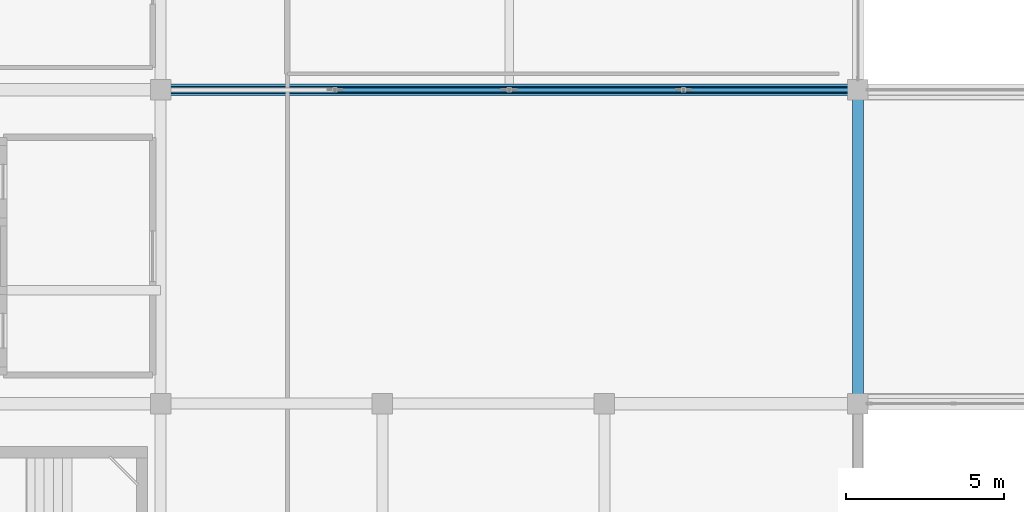
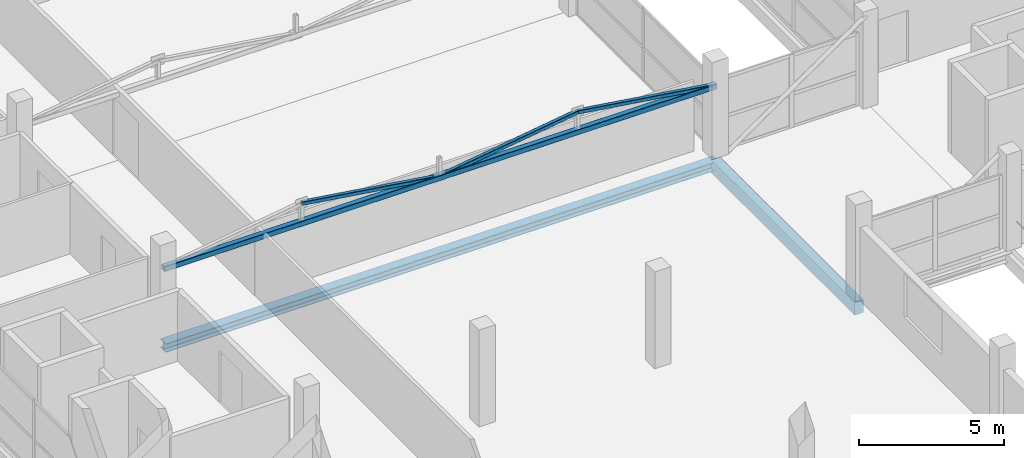
# One storey, part 11 of 53: 4 members, 2 beams.
"""IFC4 building model written with IfcOpenShell, lengths in metres."""

import ifcopenshell
import ifcopenshell.guid

model = None  # the IFC model being written
_history = None  # IfcOwnerHistory: only IFC2X3 demands one
_inside = {}  # id of a spatial element -> (the spatial element, [elements in it])
_under = {}  # id of a project, library or spatial element -> (it, [spatial elements below it])
_declared = {}  # id of a project -> (the project, [libraries it declares])
_typed = {}  # id of a type object -> (the type object, [elements of that type])
_made_of = {}  # id of a material, layer set ... -> (it, [elements and type objects made of it])


def new_model(schema):
    """Start an empty IFC model of exactly this schema.

    Asked for "IFC4X3", IfcOpenShell would pick the latest addendum, in which some entities
    have other attributes; the version numbers below select the first issue.
    IFC2X3 requires an IfcOwnerHistory on every rooted entity: one is made here for all.
    """
    global model, _history
    if schema == "IFC4X3":
        model = ifcopenshell.file(schema_version=(4, 3, 0, 0))
    else:
        model = ifcopenshell.file(schema=schema)
    _inside.clear()
    _under.clear()
    _declared.clear()
    _typed.clear()
    _made_of.clear()
    _history = None
    if model.schema == "IFC2X3":
        org = make("IfcOrganization", Name="unknown")
        user = make(
            "IfcPersonAndOrganization",
            ThePerson=make("IfcPerson", FamilyName="unknown"),
            TheOrganization=org,
        )
        app = make(
            "IfcApplication",
            ApplicationDeveloper=org,
            Version="unknown",
            ApplicationFullName="unknown",
            ApplicationIdentifier="unknown",
        )
        _history = make(
            "IfcOwnerHistory",
            OwningUser=user,
            OwningApplication=app,
            ChangeAction="ADDED",
            CreationDate=0,
        )
    return model


def make(cls, **values):
    """One entity of the class cls with the attributes given. An attribute that is None is left unset."""
    return model.create_entity(
        cls, **{name: value for name, value in values.items() if value is not None}
    )


def rooted(cls, **values):
    """An entity with a GlobalId (a new one), such as an element, a storey or a relation."""
    return make(cls, GlobalId=ifcopenshell.guid.new(), OwnerHistory=_history, **values)


def si_unit(unit_type, name, prefix=None):
    """IfcSIUnit, for example si_unit("LENGTHUNIT", "METRE", prefix="MILLI")."""
    return make("IfcSIUnit", UnitType=unit_type, Prefix=prefix, Name=name)


def assignment(units):
    """IfcUnitAssignment: the units of a project."""
    return None if units is None else make("IfcUnitAssignment", Units=units)


def point(xyz):
    """IfcCartesianPoint."""
    return None if xyz is None else make("IfcCartesianPoint", Coordinates=xyz)


def direction(xyz):
    """IfcDirection."""
    return None if xyz is None else make("IfcDirection", DirectionRatios=xyz)


def frame(location, z_axis=None, x_axis=None):
    """IfcAxis2Placement3D, a coordinate frame: its origin and axes. An axis left out is left unset."""
    return make(
        "IfcAxis2Placement3D",
        Location=point(location),
        Axis=direction(z_axis),
        RefDirection=direction(x_axis),
    )


def frame_2d(location, x_axis=None):
    """IfcAxis2Placement2D, a coordinate frame in the plane: its origin and x axis."""
    return make(
        "IfcAxis2Placement2D", Location=point(location), RefDirection=direction(x_axis)
    )


def origin():
    """The frame at (0, 0, 0) with its axes left unset."""
    return frame((0.0, 0.0, 0.0))


def origin_2d():
    """The frame at (0, 0) in the plane with its x axis left unset."""
    return frame_2d((0.0, 0.0))


def place(relative_to, where):
    """IfcLocalPlacement: puts the frame where relative to a parent placement (None: the world)."""
    return make(
        "IfcLocalPlacement", PlacementRelTo=relative_to, RelativePlacement=where
    )


def context(
    kind, dimensions, precision=None, world=None, true_north=None, identifier=None
):
    """IfcGeometricRepresentationContext, for example the 3D "Model" context."""
    return make(
        "IfcGeometricRepresentationContext",
        ContextIdentifier=identifier,
        ContextType=kind,
        CoordinateSpaceDimension=dimensions,
        Precision=precision,
        WorldCoordinateSystem=world,
        TrueNorth=true_north,
    )


def subcontext(parent, identifier, kind, view, scale=None):
    """IfcGeometricRepresentationSubContext, for example "Body" below "Model"."""
    return make(
        "IfcGeometricRepresentationSubContext",
        ContextIdentifier=identifier,
        ContextType=kind,
        ParentContext=parent,
        TargetScale=scale,
        TargetView=view,
    )


def project(units=None, contexts=None):
    """IfcProject with its units and contexts."""
    return rooted(
        "IfcProject",
        Name="project",
        RepresentationContexts=contexts,
        UnitsInContext=assignment(units),
    )


def spatial(cls, under=None, at=None, **own):
    """A site, building, storey or space (cls), placed at a placement, below another one or the project."""
    s = rooted(cls, ObjectPlacement=at, **own)
    if under is not None:
        _under.setdefault(under.id(), (under, []))[1].append(s)
    return s


def profile(cls, at=None, kind="AREA", **sizes):
    """A parametric profile (cls). Its sizes go by their IFC names, for example OverallWidth=200.0."""
    return make(cls, ProfileType=kind, Position=at, **sizes)


def rectangle(**sizes):
    """IfcRectangleProfileDef."""
    return profile("IfcRectangleProfileDef", **sizes)


def hollow_rectangle(**sizes):
    """IfcRectangleHollowProfileDef."""
    return profile("IfcRectangleHollowProfileDef", **sizes)


def i_section(**sizes):
    """IfcIShapeProfileDef."""
    return profile("IfcIShapeProfileDef", **sizes)


def extrude(swept, where, along, depth):
    """IfcExtrudedAreaSolid: the profile swept, set in the frame where, extruded along a direction by depth."""
    return make(
        "IfcExtrudedAreaSolid",
        SweptArea=swept,
        Position=where,
        ExtrudedDirection=direction(along),
        Depth=depth,
    )


def shape(context_of_items, identifier, shape_type, items):
    """IfcShapeRepresentation: the items that make up one representation, for example the "Body"."""
    return make(
        "IfcShapeRepresentation",
        ContextOfItems=context_of_items,
        RepresentationIdentifier=identifier,
        RepresentationType=shape_type,
        Items=items,
    )


def material(Name=None, Category=None):
    """IfcMaterial."""
    return make("IfcMaterial", Name=Name, Category=Category)


def material_profile(
    of_material, cross_section, Name=None, Category=None, Priority=None
):
    """IfcMaterialProfile: a cross section and its material."""
    return make(
        "IfcMaterialProfile",
        Name=Name,
        Material=of_material,
        Profile=cross_section,
        Priority=Priority,
        Category=Category,
    )


def profile_set(profiles, Name=None, composite=None):
    """IfcMaterialProfileSet."""
    return make(
        "IfcMaterialProfileSet",
        Name=Name,
        MaterialProfiles=profiles,
        CompositeProfile=composite,
    )


def made_of(thing, what):
    """Note that an element or type object is made of a material, layer set ...; save() writes the relation."""
    if what is not None:
        _made_of.setdefault(what.id(), (what, []))[1].append(thing)
    return thing


def type_object(cls, material=None, **own):
    """A type object (cls), such as IfcWallType, which elements share."""
    return made_of(rooted(cls, **own), material)


def element(
    cls,
    number,
    at=None,
    inside=None,
    cuts=None,
    type_object=None,
    material=None,
    context=None,
    identifier="Body",
    shape_type=None,
    held_by="IfcProductDefinitionShape",
    body=None,
    shapes=None,
    **own,
):
    """One element of the class cls, such as IfcWall. Its Tag is "e" and its number.

    at: its placement. inside: the storey or other place that contains it. cuts: it is an
    opening in that element (IfcRelVoidsElement). A single representation is given by context,
    identifier, shape_type and body (its items); several are given by shapes. held_by: the class
    of the entity that holds the representations. save() writes the other relations.
    """
    e = rooted(cls, Tag="e%d" % number, ObjectPlacement=at, **own)
    if body is not None:
        shapes = [shape(context, identifier, shape_type, body)]
    if shapes is not None:
        e.Representation = make(held_by, Representations=shapes)
    if inside is not None:
        _inside.setdefault(inside.id(), (inside, []))[1].append(e)
    if cuts is not None:
        rooted(
            "IfcRelVoidsElement", RelatingBuildingElement=cuts, RelatedOpeningElement=e
        )
    if type_object is not None:
        _typed.setdefault(type_object.id(), (type_object, []))[1].append(e)
    return made_of(e, material)


def aggregate(whole, parts):
    """IfcRelAggregates: a whole, such as a stair, and the parts it consists of."""
    return rooted("IfcRelAggregates", RelatingObject=whole, RelatedObjects=parts)


def save(model, path):
    """Write the relations noted so far, then the file.

    IfcRelAggregates (storeys below a building ...), IfcRelContainedInSpatialStructure (elements
    in a storey), IfcRelDefinesByType, IfcRelAssociatesMaterial and IfcRelDeclares: one each for
    every whole, place, type object, material and project.
    """
    for whole, parts in _under.values():
        aggregate(whole, parts)
    for where, things in _inside.values():
        rooted(
            "IfcRelContainedInSpatialStructure",
            RelatedElements=things,
            RelatingStructure=where,
        )
    for kind, things in _typed.values():
        rooted("IfcRelDefinesByType", RelatedObjects=things, RelatingType=kind)
    for what, things in _made_of.values():
        rooted("IfcRelAssociatesMaterial", RelatedObjects=things, RelatingMaterial=what)
    for by, libraries in _declared.values():
        rooted("IfcRelDeclares", RelatingContext=by, RelatedDefinitions=libraries)
    model.write(path)


model = new_model("IFC4")

# Units and contexts
model_context = context("Model", 3, precision=1e-05, world=origin(), true_north=direction((0.0, 1.0)))
body_context = subcontext(model_context, "Body", "Model", "MODEL_VIEW")
ifc_project = project(units=[si_unit("LENGTHUNIT", "METRE"), si_unit("AREAUNIT", "SQUARE_METRE"), si_unit("VOLUMEUNIT", "CUBIC_METRE"), si_unit("PLANEANGLEUNIT", "RADIAN"), si_unit("MASSUNIT", "GRAM", prefix="KILO")], contexts=[model_context])

# Site, building, storey
site_placement = place(None, origin())
site = spatial("IfcSite", under=ifc_project, at=site_placement, CompositionType="ELEMENT")
building_placement = place(site_placement, origin())
building = spatial("IfcBuilding", under=site, at=building_placement, Name="Sillaruma Civic Art Gallery", CompositionType="ELEMENT")
storey_placement = place(building_placement, frame((0.0, 0.0, 70.3798828125)))
storey = spatial("IfcBuildingStorey", under=building, at=storey_placement, Name="L14", CompositionType="ELEMENT", Elevation=70.3798828125)

# Beams
ifc_material_1 = material(Name="Concrete H35 (35 MPa)", Category="concrete")
ifc_material_profile_1 = material_profile(ifc_material_1, rectangle(XDim=0.35009765625, YDim=0.550048828125, at=origin_2d()), Name="RCB350x550")
ifc_profile_set_1 = profile_set([ifc_material_profile_1], Name="Concrete H35 (35 MPa)")
beam_type_1 = type_object("IfcBeamType", Name="BM-SPANDREL-RCB350x550", PredefinedType="SPANDREL", material=ifc_profile_set_1)
beam_1_placement = place(storey_placement, frame((92.0, 39.60009765625, -0.52490234375), z_axis=(0.0, 1.0, 0.0), x_axis=(-1.0, 0.0, 0.0)))
element("IfcBeam", 1, at=beam_1_placement, inside=storey, type_object=beam_type_1, Name="Beam BS-04 (L13:K:5-6)", PredefinedType="SPANDREL", context=body_context, shape_type="SweptSolid", body=[
    extrude(rectangle(XDim=0.35009765625, YDim=0.550048828125, at=origin_2d()), origin(), (0.0, 0.0, 1.0), 9.89990234375),
])
ifc_material_2 = material(Name="Structural Steel ASTM A992 Gr.50", Category="steel")
ifc_material_profile_2 = material_profile(ifc_material_2, i_section(OverallWidth=0.37109375, OverallDepth=0.364013671875, WebThickness=0.01318359375, FlangeThickness=0.021728515625, FilletRadius=0.014892578125, at=origin_2d()), Name="W360x162")
ifc_profile_set_2 = profile_set([ifc_material_profile_2], Name="Structural Steel ASTM A992 Gr.50")
beam_type_2 = type_object("IfcBeamType", Name="BM-TRTOP-W360x162", PredefinedType="BEAM", material=ifc_profile_set_2)
beam_2_placement = place(storey_placement, frame((70.0, 49.5, -0.431884765625), z_axis=(1.0, 0.0, 0.0), x_axis=(0.0, 1.0, 0.0)))
element("IfcBeam", 2, at=beam_2_placement, inside=storey, type_object=beam_type_2, Name="Warren Truss Top Chord TR-L13-1", PredefinedType="BEAM", context=body_context, shape_type="SweptSolid", body=[
    extrude(i_section(OverallWidth=0.37109375, OverallDepth=0.364013671875, WebThickness=0.01318359375, FlangeThickness=0.021728515625, FilletRadius=0.014892578125, at=origin_2d()), origin(), (0.0, 0.0, 1.0), 22.0),
])

# Members
ifc_material_3 = material(Name="Structural Steel ASTM A500 Gr.C", Category="steel")
ifc_material_profile_3 = material_profile(ifc_material_3, hollow_rectangle(XDim=0.14990234375, YDim=0.14990234375, WallThickness=0.010009765625, InnerFilletRadius=0.010009765625, OuterFilletRadius=0.02001953125, at=origin_2d()), Name="HSS150x150x10")
ifc_profile_set_3 = profile_set([ifc_material_profile_3], Name="Structural Steel ASTM A500 Gr.C")
member_type_1 = type_object("IfcMemberType", Name="MEM-BRACE-HSS150x150x10", PredefinedType="BRACE", material=ifc_profile_set_3)
for number, where, z_axis, x_axis, name in (
    (3, (75.5, 49.5, 3.648193359375), (0.989377720719, 0.0, -0.145367553959), (0.0, 1.0, 0.0), "Warren Truss Diagonal TR-L14-1-D2"),
    (4, (81.0, 49.5, 2.840087890625), (0.989377720719, 0.0, 0.145367553959), (0.0, 1.0, 0.0), "Warren Truss Diagonal TR-L14-1-D3"),
    (5, (86.5, 49.5, 3.648193359375), (0.989377720719, 0.0, -0.145367553959), (0.0, 1.0, 0.0), "Warren Truss Diagonal TR-L14-1-D4"),
):
    element("IfcMember", number, at=place(storey_placement, frame(where, z_axis=z_axis, x_axis=x_axis)), inside=storey, type_object=member_type_1, Name=name, PredefinedType="BRACE", context=body_context, shape_type="SweptSolid", body=[
        extrude(hollow_rectangle(XDim=0.14990234375, YDim=0.14990234375, WallThickness=0.010009765625, InnerFilletRadius=0.010009765625, OuterFilletRadius=0.02001953125, at=origin_2d()), origin(), (0.0, 0.0, 1.0), 5.55908203125),
    ])
ifc_material_profile_4 = material_profile(ifc_material_3, hollow_rectangle(XDim=0.219970703125, YDim=0.219970703125, WallThickness=0.012451171875, InnerFilletRadius=0.012451171875, OuterFilletRadius=0.02490234375, at=origin_2d()), Name="HSS220x220x12.5")
ifc_profile_set_4 = profile_set([ifc_material_profile_4], Name="Structural Steel ASTM A500 Gr.C")
member_type_2 = type_object("IfcMemberType", Name="MEM-CHORD-HSS220x220x12.5", PredefinedType="CHORD", material=ifc_profile_set_4)
member_placement = place(storey_placement, frame((70.0, 49.5, 2.840087890625), z_axis=(1.0, 0.0, 0.0), x_axis=(0.0, 1.0, 0.0)))
element("IfcMember", 6, at=member_placement, inside=storey, type_object=member_type_2, Name="Warren Truss Bottom Chord TR-L14-1", PredefinedType="CHORD", context=body_context, shape_type="SweptSolid", body=[
    extrude(hollow_rectangle(XDim=0.219970703125, YDim=0.219970703125, WallThickness=0.012451171875, InnerFilletRadius=0.012451171875, OuterFilletRadius=0.02490234375, at=origin_2d()), origin(), (0.0, 0.0, 1.0), 22.0),
])

save(model, "model.ifc")
